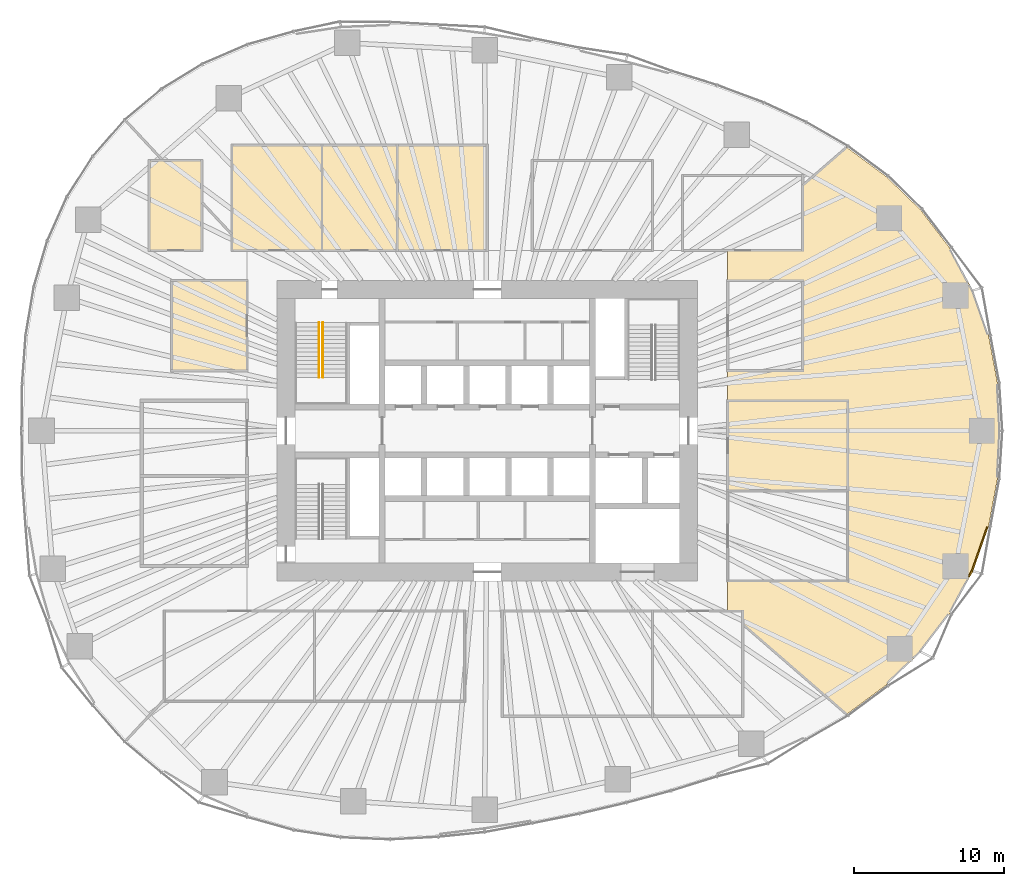
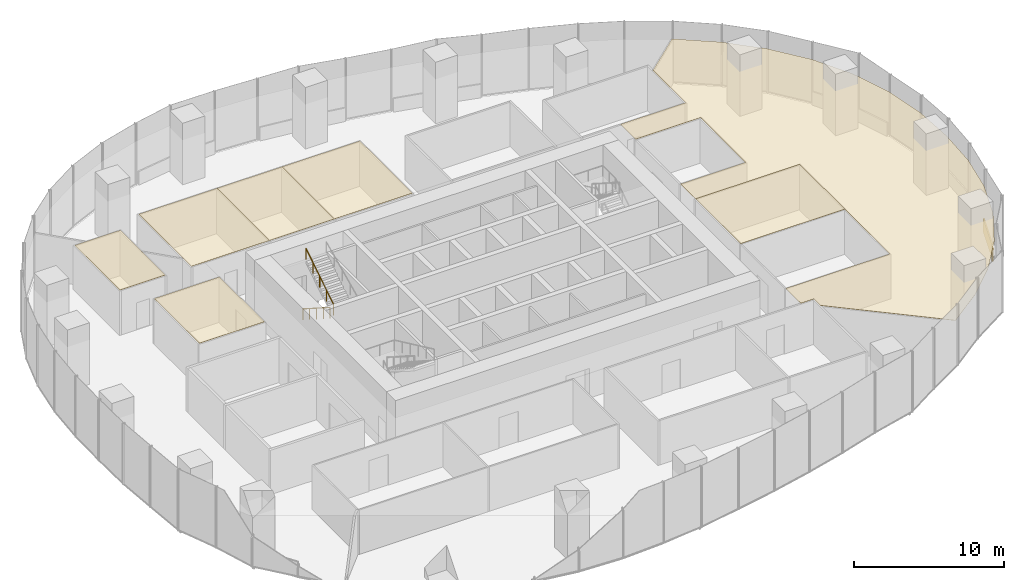
# One storey, part 19 of 20: 9 coverings, 2 railings.
"""IFC4 building model written with IfcOpenShell, lengths in metres."""

from ifc_helpers import new_model, si_unit, direction, frame, origin, origin_2d, place, context, subcontext, project, spatial, polyline, rectangle, circle, outline, extrude, material, layer, layer_set, type_object, element, save


model = new_model("IFC4")

# Units and contexts
model_context = context("Model", 3, precision=1e-05, world=origin(), true_north=direction((0.0, 1.0)))
body_context = subcontext(model_context, "Body", "Model", "MODEL_VIEW")
ifc_project = project(units=[si_unit("LENGTHUNIT", "METRE"), si_unit("AREAUNIT", "SQUARE_METRE"), si_unit("VOLUMEUNIT", "CUBIC_METRE"), si_unit("PLANEANGLEUNIT", "RADIAN"), si_unit("MASSUNIT", "GRAM", prefix="KILO")], contexts=[model_context])

# Site, building, storey
site_placement = place(None, origin())
site = spatial("IfcSite", under=ifc_project, at=site_placement, CompositionType="ELEMENT")
building_placement = place(site_placement, origin())
building = spatial("IfcBuilding", under=site, at=building_placement, Name="Ghaith Harvest Tower", CompositionType="ELEMENT")
storey_placement = place(building_placement, frame((0.0, 0.0, 80.0)))
storey = spatial("IfcBuildingStorey", under=building, at=storey_placement, Name="L16", CompositionType="ELEMENT", Elevation=80.0)

# Coverings
ifc_material_1 = material(Name="Mineral fibre ceiling tile", Category="gypsum")
ifc_layer_1 = layer(ifc_material_1, 0.02490234375)
ifc_layer_set_1 = layer_set([ifc_layer_1], Name="CEILING C2")
covering_type_1 = type_object("IfcCoveringType", Name="CEILING C2", PredefinedType="CEILING", material=ifc_layer_set_1)
covering_1_placement = place(storey_placement, frame((0.0, 0.0, 3.60009765625)))
element("IfcCovering", 1, at=covering_1_placement, inside=storey, type_object=covering_type_1, Name="Ceiling L16-06", PredefinedType="CEILING", context=body_context, shape_type="SweptSolid", body=[
    extrude(outline(polyline([(16.0, -4.0), (24.0, -4.0), (24.0, 2.0), (16.0, 2.0), (16.0, -4.0)])), origin(), (0.0, 0.0, 1.0), 0.02490234375),
])
covering_2_placement = place(storey_placement, frame((0.0, 0.0, 3.60009765625)))
element("IfcCovering", 2, at=covering_2_placement, inside=storey, type_object=covering_type_1, Name="Ceiling L16-07", PredefinedType="CEILING", context=body_context, shape_type="SweptSolid", body=[
    extrude(outline(polyline([(-17.0, 12.0), (-11.0, 12.0), (-11.0, 19.0), (-17.0, 19.0), (-17.0, 12.0)])), origin(), (0.0, 0.0, 1.0), 0.02490234375),
])
covering_3_placement = place(storey_placement, frame((0.0, 0.0, 3.60009765625)))
element("IfcCovering", 3, at=covering_3_placement, inside=storey, type_object=covering_type_1, Name="Ceiling L16-08", PredefinedType="CEILING", context=body_context, shape_type="SweptSolid", body=[
    extrude(outline(polyline([(-11.0, 12.0), (-6.0, 12.0), (-6.0, 19.0), (-11.0, 19.0), (-11.0, 12.0)])), origin(), (0.0, 0.0, 1.0), 0.02490234375),
])
covering_4_placement = place(storey_placement, frame((0.0, 0.0, 3.60009765625)))
element("IfcCovering", 4, at=covering_4_placement, inside=storey, type_object=covering_type_1, Name="Ceiling L16-09", PredefinedType="CEILING", context=body_context, shape_type="SweptSolid", body=[
    extrude(outline(polyline([(-6.0, 12.0), (0.0, 12.0), (0.0, 19.0), (-6.0, 19.0), (-6.0, 12.0)])), origin(), (0.0, 0.0, 1.0), 0.02490234375),
])
covering_5_placement = place(storey_placement, frame((0.0, 0.0, 3.60009765625)))
element("IfcCovering", 5, at=covering_5_placement, inside=storey, type_object=covering_type_1, Name="Ceiling L16-14", PredefinedType="CEILING", context=body_context, shape_type="SweptSolid", body=[
    extrude(outline(polyline([(-22.5, 12.0), (-19.0, 12.0), (-19.0, 18.0), (-22.5, 18.0), (-22.5, 12.0)])), origin(), (0.0, 0.0, 1.0), 0.02490234375),
])
covering_6_placement = place(storey_placement, frame((0.0, 0.0, 3.60009765625)))
element("IfcCovering", 6, at=covering_6_placement, inside=storey, type_object=covering_type_1, Name="Ceiling L16-16", PredefinedType="CEILING", context=body_context, shape_type="SweptSolid", body=[
    extrude(outline(polyline([(-21.0, 4.0), (-16.0, 4.0), (-16.0, 10.0), (-21.0, 10.0), (-21.0, 4.0)])), origin(), (0.0, 0.0, 1.0), 0.02490234375),
])
covering_7_placement = place(storey_placement, frame((0.0, 0.0, 3.60009765625)))
element("IfcCovering", 7, at=covering_7_placement, inside=storey, type_object=covering_type_1, Name="Ceiling L16-E1", PredefinedType="CEILING", context=body_context, shape_type="SweptSolid", body=[
    extrude(outline(polyline([(26.572509765625, 16.9111328125), (28.840087890625, 14.708984375), (30.78515625, 12.1708984375), (32.318359375, 9.3408203125), (33.37158203125, 6.333984375), (33.95849609375, 3.194091796875), (34.125, 0.0), (33.95849609375, -3.194091796875), (33.37158203125, -6.333984375), (32.318359375, -9.3408203125), (30.78515625, -12.1708984375), (28.840087890625, -14.708984375), (26.572509765625, -16.9111328125), (23.92431640625, -18.873046875), (17.0, -12.8671875), (17.0, -12.0), (16.0, -12.0), (16.0, -10.0), (24.0, -10.0), (24.0, 2.0), (16.0, 2.0), (16.0, 4.0), (21.0, 4.0), (21.0, 10.0), (16.0, 10.0), (16.0, 12.0), (21.0, 12.0), (21.0, 16.336669921875), (23.92431640625, 18.873046875), (26.572509765625, 16.9111328125)])), origin(), (0.0, 0.0, 1.0), 0.02490234375),
])

# Railings
ifc_material_2 = material(Name="Steel, black powder-coated", Category="steel")
railing_type = type_object("IfcRailingType", Name="HANDRAIL HR1", PredefinedType="HANDRAIL", material=ifc_material_2)
railing_1_placement = place(storey_placement, frame((-11.199951171875, 7.199951171875, 0.178466796875)))
element("IfcRailing", 8, at=railing_1_placement, inside=storey, type_object=railing_type, Name="Handrail HR1 stair ST1 L16 flight 1 inner", PredefinedType="HANDRAIL", context=body_context, shape_type="SweptSolid", body=[
    extrude(circle(Radius=0.02392578125, at=origin_2d()), frame((0.0, 0.0, 0.8759765625), z_axis=(0.0, -0.843111507901, 0.53773877045), x_axis=(1.0, 0.0, 0.0)), (0.0, 0.0, 1.0), 4.317138671875),
    extrude(circle(Radius=0.02099609375, at=origin_2d()), origin(), (0.0, 0.0, 1.0), 0.851806640625),
    extrude(circle(Radius=0.02099609375, at=origin_2d()), frame((0.0, -0.909912109375, 0.580322265625)), (0.0, 0.0, 1.0), 0.851806640625),
    extrude(circle(Radius=0.02099609375, at=origin_2d()), frame((0.0, -1.81982421875, 1.16064453125)), (0.0, 0.0, 1.0), 0.851806640625),
    extrude(circle(Radius=0.02099609375, at=origin_2d()), frame((0.0, -2.72998046875, 1.7412109375)), (0.0, 0.0, 1.0), 0.851806640625),
    extrude(circle(Radius=0.02099609375, at=origin_2d()), frame((0.0, -3.639892578125, 2.321533203125)), (0.0, 0.0, 1.0), 0.851806640625),
])
railing_2_placement = place(storey_placement, frame((-10.949951171875, 3.56005859375, 2.678466796875)))
element("IfcRailing", 9, at=railing_2_placement, inside=storey, type_object=railing_type, Name="Handrail HR1 stair ST1 L16 flight 2 inner", PredefinedType="HANDRAIL", context=body_context, shape_type="SweptSolid", body=[
    extrude(circle(Radius=0.02392578125, at=origin_2d()), frame((0.0, 0.0, 0.8759765625), z_axis=(0.0, 0.843111507901, 0.53773877045), x_axis=(-1.0, 0.0, 0.0)), (0.0, 0.0, 1.0), 4.317138671875),
    extrude(circle(Radius=0.02099609375, at=origin_2d()), origin(), (0.0, 0.0, 1.0), 0.851806640625),
    extrude(circle(Radius=0.02099609375, at=origin_2d()), frame((0.0, 0.909912109375, 0.580322265625)), (0.0, 0.0, 1.0), 0.851806640625),
    extrude(circle(Radius=0.02099609375, at=origin_2d()), frame((0.0, 1.81982421875, 1.16064453125)), (0.0, 0.0, 1.0), 0.851806640625),
    extrude(circle(Radius=0.02099609375, at=origin_2d()), frame((0.0, 2.72998046875, 1.7412109375)), (0.0, 0.0, 1.0), 0.851806640625),
    extrude(circle(Radius=0.02099609375, at=origin_2d()), frame((0.0, 3.639892578125, 2.321533203125)), (0.0, 0.0, 1.0), 0.851806640625),
])

# Coverings
ifc_material_3 = material(Name="Insulated aluminium spandrel panel on steel framing", Category="steel")
ifc_layer_2 = layer(ifc_material_3, 0.10009765625)
ifc_layer_set_2 = layer_set([ifc_layer_2], Name="SLAB EDGE UPSTAND 1100x100")
covering_type_2 = type_object("IfcCoveringType", Name="SLAB EDGE UPSTAND 1100x100", PredefinedType="CLADDING", material=ifc_layer_set_2)
covering_8_placement = place(storey_placement, frame((32.172119140625, -9.505615234375, 0.0), z_axis=(0.0, 0.0, 1.0), x_axis=(0.4763492928, 0.879256135178, 0.0)))
element("IfcCovering", 10, at=covering_8_placement, inside=storey, type_object=covering_type_2, Name="Slab edge upstand 3 bay 19 L16", PredefinedType="CLADDING", context=body_context, shape_type="SweptSolid", body=[
    extrude(rectangle(XDim=0.42919921875, YDim=0.10009765625, at=origin_2d()), origin(), (0.0, 0.0, 1.0), 1.10009765625),
])
covering_9_placement = place(storey_placement, frame((32.78125, -7.867919921875, 0.0), z_axis=(0.0, 0.0, 1.0), x_axis=(0.330597697302, 0.943771774604, 0.0)))
element("IfcCovering", 11, at=covering_9_placement, inside=storey, type_object=covering_type_2, Name="Slab edge upstand 1 bay 20 L16", PredefinedType="CLADDING", context=body_context, shape_type="SweptSolid", body=[
    extrude(rectangle(XDim=3.0859375, YDim=0.10009765625, at=origin_2d()), origin(), (0.0, 0.0, 1.0), 1.10009765625),
])

save(model, "model.ifc")
